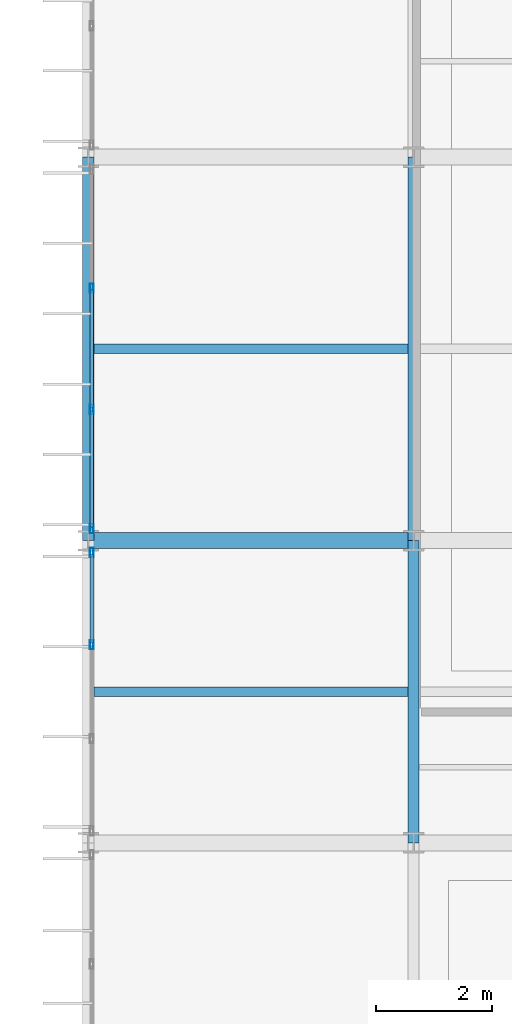
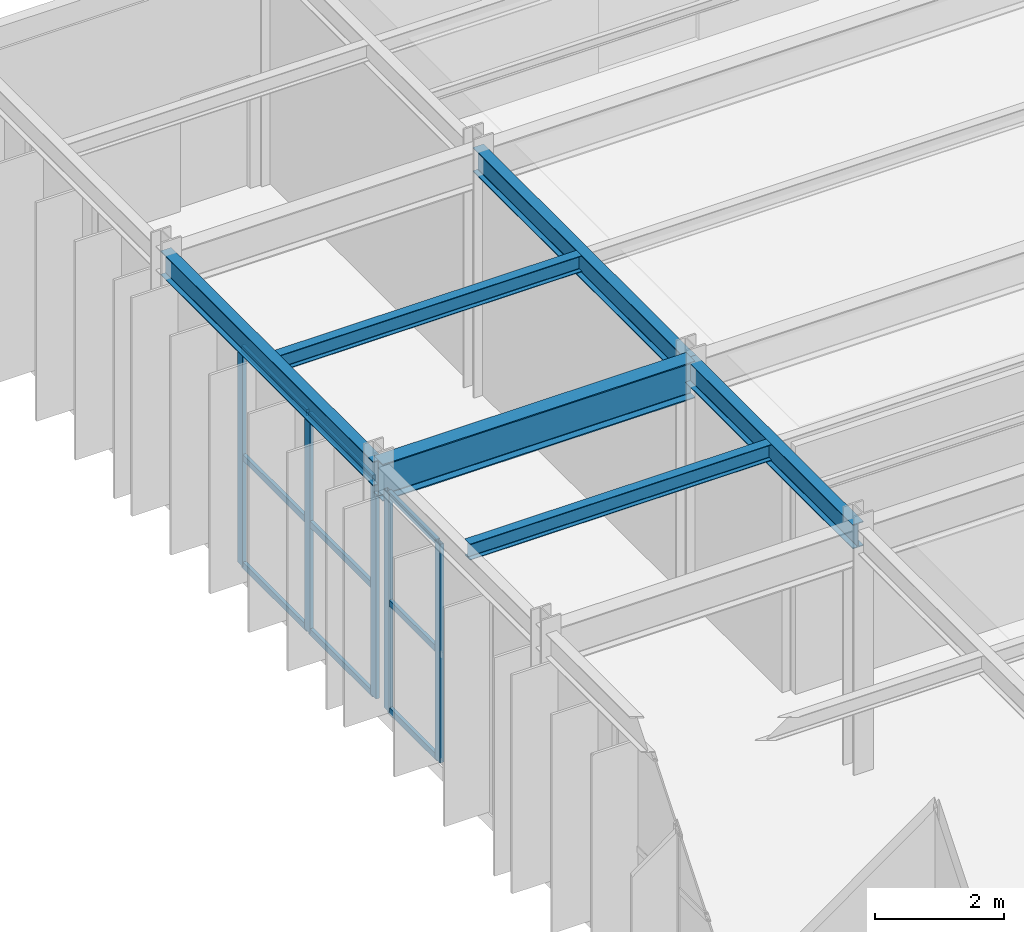
# One storey, part 38 of 144: 14 members, 6 beams, 2 elements without a shape of their own.
"""IFC4 building model written with IfcOpenShell, lengths in metres."""

from ifc_helpers import new_model, si_unit, direction, frame, origin, origin_2d, place, context, subcontext, project, spatial, hollow_rectangle, i_section, extrude, material, material_profile, profile_set, type_object, element, aggregate, save


model = new_model("IFC4")

# Units and contexts
model_context = context("Model", 3, precision=1e-05, world=origin(), true_north=direction((0.0, 1.0)))
body_context = subcontext(model_context, "Body", "Model", "MODEL_VIEW")
ifc_project = project(units=[si_unit("LENGTHUNIT", "METRE"), si_unit("AREAUNIT", "SQUARE_METRE"), si_unit("VOLUMEUNIT", "CUBIC_METRE"), si_unit("PLANEANGLEUNIT", "RADIAN"), si_unit("MASSUNIT", "GRAM", prefix="KILO")], contexts=[model_context])

# Site, building, storey
site_placement = place(None, origin())
site = spatial("IfcSite", under=ifc_project, at=site_placement, CompositionType="ELEMENT")
building_placement = place(site_placement, origin())
building = spatial("IfcBuilding", under=site, at=building_placement, Name="Karori Crest Natural Sciences Institute", CompositionType="ELEMENT")
storey_placement = place(building_placement, origin())
storey = spatial("IfcBuildingStorey", under=building, at=storey_placement, Name="L00", CompositionType="ELEMENT", Elevation=0.0)

# Beams
ifc_material_1 = material(Name="Structural steel AS/NZS 3679.1 Grade 350", Category="steel")
ifc_material_profile_1 = material_profile(ifc_material_1, i_section(OverallWidth=0.27490234375, OverallDepth=0.699951171875, WebThickness=0.010009765625, FlangeThickness=0.02001953125, FilletRadius=0.013916015625, at=origin_2d()), Name="700WB150")
ifc_profile_set_1 = profile_set([ifc_material_profile_1], Name="Structural steel AS/NZS 3679.1 Grade 350")
beam_type_1 = type_object("IfcBeamType", Name="BT-03", PredefinedType="BEAM", material=ifc_profile_set_1)
beam_1_placement = place(storey_placement, frame((1.800048828125, 60.199951171875, 4.27001953125), z_axis=(1.0, 0.0, 0.0), x_axis=(0.0, 1.0, 0.0)))
element("IfcBeam", 1, at=beam_1_placement, inside=storey, type_object=beam_type_1, Name="Beam B-0952", PredefinedType="BEAM", context=body_context, shape_type="SweptSolid", body=[
    extrude(i_section(OverallWidth=0.27490234375, OverallDepth=0.699951171875, WebThickness=0.010009765625, FlangeThickness=0.02001953125, FilletRadius=0.013916015625, at=origin_2d()), origin(), (0.0, 0.0, 1.0), 5.599853515625),
])
ifc_material_profile_2 = material_profile(ifc_material_1, i_section(OverallWidth=0.19091796875, OverallDepth=0.4599609375, WebThickness=0.010009765625, FlangeThickness=0.01611328125, FilletRadius=0.010986328125, at=origin_2d()), Name="460UB82.1")
ifc_profile_set_2 = profile_set([ifc_material_profile_2], Name="Structural steel AS/NZS 3679.1 Grade 350")
beam_type_2 = type_object("IfcBeamType", Name="BT-06", PredefinedType="BEAM", material=ifc_profile_set_2)
beam_2_placement = place(storey_placement, frame((7.39990234375, 55.0, 4.389892578125), z_axis=(0.0, 1.0, 0.0), x_axis=(-1.0, 0.0, 0.0)))
element("IfcBeam", 2, at=beam_2_placement, inside=storey, type_object=beam_type_2, Name="Beam B-0971", PredefinedType="BEAM", context=body_context, shape_type="SweptSolid", body=[
    extrude(i_section(OverallWidth=0.19091796875, OverallDepth=0.4599609375, WebThickness=0.010009765625, FlangeThickness=0.01611328125, FilletRadius=0.010986328125, at=origin_2d()), origin(), (0.0, 0.0, 1.0), 5.199951171875),
])
beam_3_placement = place(storey_placement, frame((7.39990234375, 60.199951171875, 4.389892578125), z_axis=(0.0, 1.0, 0.0), x_axis=(-1.0, 0.0, 0.0)))
element("IfcBeam", 3, at=beam_3_placement, inside=storey, type_object=beam_type_2, Name="Beam B-0972", PredefinedType="BEAM", context=body_context, shape_type="SweptSolid", body=[
    extrude(i_section(OverallWidth=0.19091796875, OverallDepth=0.4599609375, WebThickness=0.010009765625, FlangeThickness=0.01611328125, FilletRadius=0.010986328125, at=origin_2d()), origin(), (0.0, 0.0, 1.0), 6.60009765625),
])
ifc_material_profile_3 = material_profile(ifc_material_1, i_section(OverallWidth=0.19091796875, OverallDepth=0.4599609375, WebThickness=0.010009765625, FlangeThickness=0.01611328125, FilletRadius=0.010986328125, at=origin_2d()), Name="460UB82.1")
ifc_profile_set_3 = profile_set([ifc_material_profile_3], Name="Structural steel AS/NZS 3679.1 Grade 350")
beam_type_3 = type_object("IfcBeamType", Name="BT-06-EL", PredefinedType="BEAM", material=ifc_profile_set_3)
beam_4_placement = place(storey_placement, frame((1.800048828125, 60.199951171875, 4.389892578125), z_axis=(0.0, 1.0, 0.0), x_axis=(-1.0, 0.0, 0.0)))
element("IfcBeam", 4, at=beam_4_placement, inside=storey, type_object=beam_type_3, Name="Beam B-0965", PredefinedType="BEAM", context=body_context, shape_type="SweptSolid", body=[
    extrude(i_section(OverallWidth=0.19091796875, OverallDepth=0.4599609375, WebThickness=0.010009765625, FlangeThickness=0.01611328125, FilletRadius=0.010986328125, at=origin_2d()), origin(), (0.0, 0.0, 1.0), 6.60009765625),
])
ifc_material_profile_4 = material_profile(ifc_material_1, i_section(OverallWidth=0.166015625, OverallDepth=0.306884765625, WebThickness=0.006591796875, FlangeThickness=0.01171875, FilletRadius=0.010986328125, at=origin_2d()), Name="310UB46.2")
ifc_profile_set_4 = profile_set([ifc_material_profile_4], Name="Structural steel AS/NZS 3679.1 Grade 350")
beam_type_4 = type_object("IfcBeamType", Name="BT-09", PredefinedType="BEAM", material=ifc_profile_set_4)
for number, where, z_axis, x_axis, name in (
    (5, (1.8955078125, 57.60009765625, 4.466552734375), (1.0, 0.0, 0.0), (0.0, 1.0, 0.0), "Beam B-0990"),
    (6, (1.8955078125, 63.5, 4.466552734375), (1.0, 0.0, 0.0), (0.0, 1.0, 0.0), "Beam B-0991"),
):
    element("IfcBeam", number, at=place(storey_placement, frame(where, z_axis=z_axis, x_axis=x_axis)), inside=storey, type_object=beam_type_4, Name=name, PredefinedType="BEAM", context=body_context, shape_type="SweptSolid", body=[
        extrude(i_section(OverallWidth=0.166015625, OverallDepth=0.306884765625, WebThickness=0.006591796875, FlangeThickness=0.01171875, FilletRadius=0.010986328125, at=origin_2d()), origin(), (0.0, 0.0, 1.0), 5.408935546875),
    ])

# Curtain wall, members
ifc_material_2 = material(Name="Anodised architectural aluminium 6063-T6", Category="aluminium")
curtain_wall_type = type_object("IfcCurtainWallType", Name="CWT-17", PredefinedType="NOTDEFINED", material=ifc_material_2)
curtain_wall_1_placement = place(storey_placement, origin())
curtain_wall_1 = element("IfcCurtainWall", 7, at=curtain_wall_1_placement, inside=storey, type_object=curtain_wall_type, Name="Curtain wall CW-0256", PredefinedType="NOTDEFINED")
ifc_material_profile_5 = material_profile(ifc_material_2, hollow_rectangle(XDim=0.06494140625, YDim=0.159912109375, WallThickness=0.00390625, at=origin_2d()), Name="CWM160x65x4")
ifc_profile_set_5 = profile_set([ifc_material_profile_5], Name="Anodised architectural aluminium 6063-T6")
member_type_1 = type_object("IfcMemberType", Name="CWM-01", PredefinedType="MULLION", material=ifc_profile_set_5)
member_1_placement = place(storey_placement, frame((1.860107421875, 58.408935546875, 0.0), z_axis=(0.0, 0.0, 1.0), x_axis=(-1.0, 0.0, 0.0)))
member_1 = element("IfcMember", 8, at=member_1_placement, type_object=member_type_1, Name="CW-0256 mullion 3", PredefinedType="MULLION", context=body_context, shape_type="SweptSolid", body=[
    extrude(hollow_rectangle(XDim=0.06494140625, YDim=0.159912109375, WallThickness=0.00390625, at=origin_2d()), origin(), (0.0, 0.0, 1.0), 4.14501953125),
])
member_2_placement = place(storey_placement, frame((1.860107421875, 59.994384765625, 0.0), z_axis=(0.0, 0.0, 1.0), x_axis=(-1.0, 0.0, 0.0)))
member_2 = element("IfcMember", 9, at=member_2_placement, type_object=member_type_1, Name="CW-0256 mullion 4", PredefinedType="MULLION", context=body_context, shape_type="SweptSolid", body=[
    extrude(hollow_rectangle(XDim=0.06494140625, YDim=0.159912109375, WallThickness=0.00390625, at=origin_2d()), origin(), (0.0, 0.0, 1.0), 4.14501953125),
])

curtain_wall_2_placement = place(storey_placement, origin())
curtain_wall_2 = element("IfcCurtainWall", 10, at=curtain_wall_2_placement, inside=storey, type_object=curtain_wall_type, Name="Curtain wall CW-0257", PredefinedType="NOTDEFINED")
member_3_placement = place(storey_placement, frame((1.860107421875, 60.405517578125, 0.0), z_axis=(0.0, 0.0, 1.0), x_axis=(-1.0, 0.0, 0.0)))
member_3 = element("IfcMember", 11, at=member_3_placement, type_object=member_type_1, Name="CW-0257 mullion 1", PredefinedType="MULLION", context=body_context, shape_type="SweptSolid", body=[
    extrude(hollow_rectangle(XDim=0.06494140625, YDim=0.159912109375, WallThickness=0.00390625, at=origin_2d()), origin(), (0.0, 0.0, 1.0), 4.14501953125),
])
member_4_placement = place(storey_placement, frame((1.860107421875, 62.457763671875, 0.0), z_axis=(0.0, 0.0, 1.0), x_axis=(-1.0, 0.0, 0.0)))
member_4 = element("IfcMember", 12, at=member_4_placement, type_object=member_type_1, Name="CW-0257 mullion 2", PredefinedType="MULLION", context=body_context, shape_type="SweptSolid", body=[
    extrude(hollow_rectangle(XDim=0.06494140625, YDim=0.159912109375, WallThickness=0.00390625, at=origin_2d()), origin(), (0.0, 0.0, 1.0), 4.14501953125),
])
member_5_placement = place(storey_placement, frame((1.860107421875, 64.542236328125, 0.0), z_axis=(0.0, 0.0, 1.0), x_axis=(-1.0, 0.0, 0.0)))
member_5 = element("IfcMember", 13, at=member_5_placement, type_object=member_type_1, Name="CW-0257 mullion 3", PredefinedType="MULLION", context=body_context, shape_type="SweptSolid", body=[
    extrude(hollow_rectangle(XDim=0.06494140625, YDim=0.159912109375, WallThickness=0.00390625, at=origin_2d()), origin(), (0.0, 0.0, 1.0), 4.14501953125),
])

# Member
ifc_material_profile_6 = material_profile(ifc_material_2, hollow_rectangle(XDim=0.06005859375, YDim=0.1201171875, WallThickness=0.00390625, at=origin_2d()), Name="CWT120x60x4")
ifc_profile_set_6 = profile_set([ifc_material_profile_6], Name="Anodised architectural aluminium 6063-T6")
member_type_2 = type_object("IfcMemberType", Name="CWT-TR1", PredefinedType="USERDEFINED", material=ifc_profile_set_6)
member_6_placement = place(storey_placement, frame((1.860107421875, 58.44140625, 0.030029296875), z_axis=(0.0, 1.0, 0.0), x_axis=(-1.0, 0.0, 0.0)))
member_6 = element("IfcMember", 14, at=member_6_placement, type_object=member_type_2, Name="CW-0256 transom 3.1", ObjectType="TRANSOM", PredefinedType="USERDEFINED", context=body_context, shape_type="SweptSolid", body=[
    extrude(hollow_rectangle(XDim=0.06005859375, YDim=0.1201171875, WallThickness=0.00390625, at=origin_2d()), origin(), (0.0, 0.0, 1.0), 1.5205078125),
])

member_7_placement = place(storey_placement, frame((1.860107421875, 58.44140625, 2.072509765625), z_axis=(0.0, 1.0, 0.0), x_axis=(-1.0, 0.0, 0.0)))
member_7 = element("IfcMember", 15, at=member_7_placement, type_object=member_type_2, Name="CW-0256 transom 3.2", ObjectType="TRANSOM", PredefinedType="USERDEFINED", context=body_context, shape_type="SweptSolid", body=[
    extrude(hollow_rectangle(XDim=0.06005859375, YDim=0.1201171875, WallThickness=0.00390625, at=origin_2d()), origin(), (0.0, 0.0, 1.0), 1.5205078125),
])

member_8_placement = place(storey_placement, frame((1.860107421875, 58.44140625, 4.114990234375), z_axis=(0.0, 1.0, 0.0), x_axis=(-1.0, 0.0, 0.0)))
member_8 = element("IfcMember", 16, at=member_8_placement, type_object=member_type_2, Name="CW-0256 transom 3.3", ObjectType="TRANSOM", PredefinedType="USERDEFINED", context=body_context, shape_type="SweptSolid", body=[
    extrude(hollow_rectangle(XDim=0.06005859375, YDim=0.1201171875, WallThickness=0.00390625, at=origin_2d()), origin(), (0.0, 0.0, 1.0), 1.5205078125),
])

aggregate(curtain_wall_1, [member_1, member_2, member_6, member_7, member_8])

member_9_placement = place(storey_placement, frame((1.860107421875, 60.43798828125, 0.030029296875), z_axis=(0.0, 1.0, 0.0), x_axis=(-1.0, 0.0, 0.0)))
member_9 = element("IfcMember", 17, at=member_9_placement, type_object=member_type_2, Name="CW-0257 transom 1.1", ObjectType="TRANSOM", PredefinedType="USERDEFINED", context=body_context, shape_type="SweptSolid", body=[
    extrude(hollow_rectangle(XDim=0.06005859375, YDim=0.1201171875, WallThickness=0.00390625, at=origin_2d()), origin(), (0.0, 0.0, 1.0), 1.987060546875),
])

member_10_placement = place(storey_placement, frame((1.860107421875, 60.43798828125, 2.072509765625), z_axis=(0.0, 1.0, 0.0), x_axis=(-1.0, 0.0, 0.0)))
member_10 = element("IfcMember", 18, at=member_10_placement, type_object=member_type_2, Name="CW-0257 transom 1.2", ObjectType="TRANSOM", PredefinedType="USERDEFINED", context=body_context, shape_type="SweptSolid", body=[
    extrude(hollow_rectangle(XDim=0.06005859375, YDim=0.1201171875, WallThickness=0.00390625, at=origin_2d()), origin(), (0.0, 0.0, 1.0), 1.987060546875),
])

member_11_placement = place(storey_placement, frame((1.860107421875, 60.43798828125, 4.114990234375), z_axis=(0.0, 1.0, 0.0), x_axis=(-1.0, 0.0, 0.0)))
member_11 = element("IfcMember", 19, at=member_11_placement, type_object=member_type_2, Name="CW-0257 transom 1.3", ObjectType="TRANSOM", PredefinedType="USERDEFINED", context=body_context, shape_type="SweptSolid", body=[
    extrude(hollow_rectangle(XDim=0.06005859375, YDim=0.1201171875, WallThickness=0.00390625, at=origin_2d()), origin(), (0.0, 0.0, 1.0), 1.987060546875),
])

member_12_placement = place(storey_placement, frame((1.860107421875, 62.490234375, 0.030029296875), z_axis=(0.0, 1.0, 0.0), x_axis=(-1.0, 0.0, 0.0)))
member_12 = element("IfcMember", 20, at=member_12_placement, type_object=member_type_2, Name="CW-0257 transom 2.1", ObjectType="TRANSOM", PredefinedType="USERDEFINED", context=body_context, shape_type="SweptSolid", body=[
    extrude(hollow_rectangle(XDim=0.06005859375, YDim=0.1201171875, WallThickness=0.00390625, at=origin_2d()), origin(), (0.0, 0.0, 1.0), 2.01953125),
])

member_13_placement = place(storey_placement, frame((1.860107421875, 62.490234375, 2.072509765625), z_axis=(0.0, 1.0, 0.0), x_axis=(-1.0, 0.0, 0.0)))
member_13 = element("IfcMember", 21, at=member_13_placement, type_object=member_type_2, Name="CW-0257 transom 2.2", ObjectType="TRANSOM", PredefinedType="USERDEFINED", context=body_context, shape_type="SweptSolid", body=[
    extrude(hollow_rectangle(XDim=0.06005859375, YDim=0.1201171875, WallThickness=0.00390625, at=origin_2d()), origin(), (0.0, 0.0, 1.0), 2.01953125),
])

member_14_placement = place(storey_placement, frame((1.860107421875, 62.490234375, 4.114990234375), z_axis=(0.0, 1.0, 0.0), x_axis=(-1.0, 0.0, 0.0)))
member_14 = element("IfcMember", 22, at=member_14_placement, type_object=member_type_2, Name="CW-0257 transom 2.3", ObjectType="TRANSOM", PredefinedType="USERDEFINED", context=body_context, shape_type="SweptSolid", body=[
    extrude(hollow_rectangle(XDim=0.06005859375, YDim=0.1201171875, WallThickness=0.00390625, at=origin_2d()), origin(), (0.0, 0.0, 1.0), 2.01953125),
])

aggregate(curtain_wall_2, [member_3, member_4, member_5, member_9, member_10, member_11, member_12, member_13, member_14])

save(model, "model.ifc")
